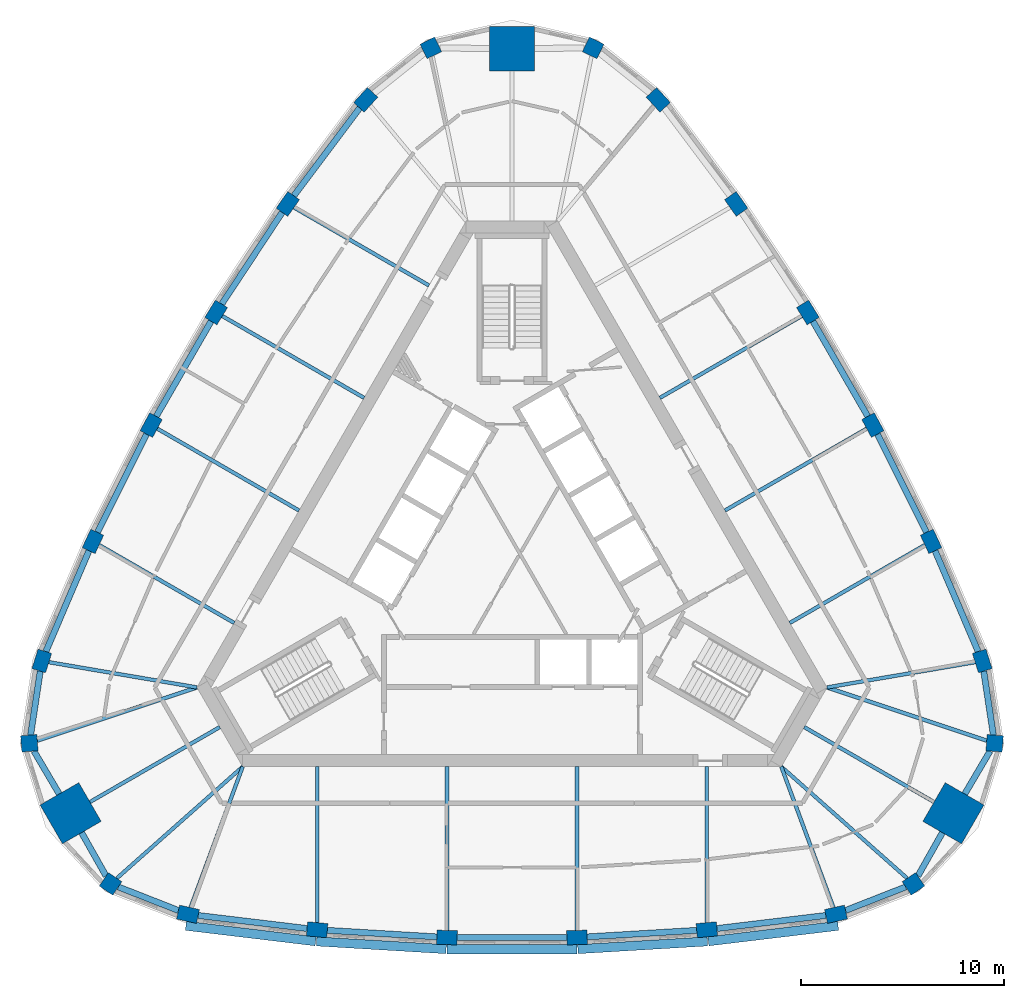
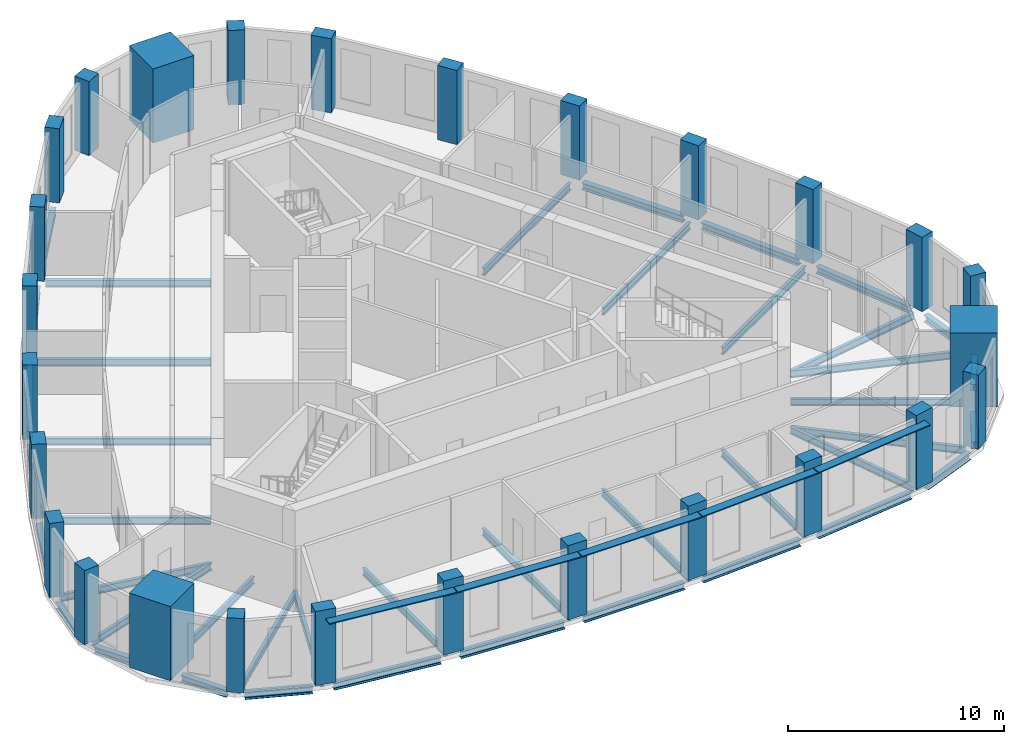
# One storey, part 1 of 10: 42 beams, 27 columns, 5 members.
"""IFC4 building model written with IfcOpenShell, lengths in metres."""

from ifc_helpers import new_model, si_unit, direction, frame, origin, origin_2d, place, context, subcontext, project, spatial, rectangle, i_section, extrude, material, material_profile, profile_set, type_object, element, save


model = new_model("IFC4")

# Units and contexts
model_context = context("Model", 3, precision=1e-05, world=origin(), true_north=direction((0.0, 1.0)))
body_context = subcontext(model_context, "Body", "Model", "MODEL_VIEW")
ifc_project = project(units=[si_unit("LENGTHUNIT", "METRE"), si_unit("AREAUNIT", "SQUARE_METRE"), si_unit("VOLUMEUNIT", "CUBIC_METRE"), si_unit("PLANEANGLEUNIT", "RADIAN"), si_unit("MASSUNIT", "GRAM", prefix="KILO")], contexts=[model_context])

# Site, building, storey
site_placement = place(None, origin())
site = spatial("IfcSite", under=ifc_project, at=site_placement, CompositionType="ELEMENT")
building_placement = place(site_placement, origin())
building = spatial("IfcBuilding", under=site, at=building_placement, Name="Mestral Congress Tower", CompositionType="ELEMENT")
storey_placement = place(building_placement, frame((0.0, 0.0, 271.199951171875)))
storey = spatial("IfcBuildingStorey", under=building, at=storey_placement, Name="L63", CompositionType="ELEMENT", Elevation=271.199951171875)

# Columns
ifc_material_1 = material(Name="Concrete C60/75", Category="concrete")
ifc_material_profile_1 = material_profile(ifc_material_1, rectangle(XDim=1.0, YDim=0.699951171875, at=origin_2d()), Name="RC 1000x700")
ifc_profile_set_1 = profile_set([ifc_material_profile_1], Name="Concrete C60/75")
column_type_1 = type_object("IfcColumnType", Name="Column RC 1000x700 C60/75", PredefinedType="COLUMN", material=ifc_profile_set_1)
for number, where, z_axis, x_axis, name in (
    (1, (-15.940673828125, -17.511962890625, 0.0), (0.0, 0.0, 1.0), (0.976233636503, -0.216720758026, 0.0), "COL-L63-C5-S00"),
    (2, (-9.587158203125, -18.273681640625, 0.0), (0.0, 0.0, 1.0), (0.995997816519, -0.089377567035, 0.0), "COL-L63-C5-S01"),
    (3, (-3.199462890625, -18.6552734375, 0.0), (0.0, 0.0, 1.0), (0.999555031657, -0.029828487872, 0.0), "COL-L63-C5-S02"),
    (4, (3.199462890625, -18.6552734375, 0.0), (0.0, 0.0, 1.0), (0.999555031657, 0.029828487872, 0.0), "COL-L63-C5-S03"),
    (5, (9.587158203125, -18.273681640625, 0.0), (0.0, 0.0, 1.0), (0.995997816519, 0.089377567035, 0.0), "COL-L63-C5-S04"),
    (6, (15.940673828125, -17.511962890625, 0.0), (0.0, 0.0, 1.0), (0.976233636503, 0.216720758026, 0.0), "COL-L63-C5-S05"),
    (7, (23.135986328125, -5.049072265625, 0.0), (0.0, 0.0, 1.0), (-0.300431136274, 0.953803508254, 0.0), "COL-L63-C5-E00"),
    (8, (20.618896484375, 0.833984375, 0.0), (0.0, 0.0, 1.0), (-0.420595664679, 0.907248194737, 0.0), "COL-L63-C5-E01"),
    (9, (17.755615234375, 6.556640625, 0.0), (0.0, 0.0, 1.0), (-0.473945287575, 0.880554293832, 0.0), "COL-L63-C5-E02"),
    (10, (14.55615234375, 12.098388671875, 0.0), (0.0, 0.0, 1.0), (-0.525609744083, 0.850725805959, 0.0), "COL-L63-C5-E03"),
    (11, (11.031982421875, 17.439697265625, 0.0), (0.0, 0.0, 1.0), (-0.57540215184, 0.817870627702, 0.0), "COL-L63-C5-E04"),
    (12, (7.1953125, 22.56103515625, 0.0), (0.0, 0.0, 1.0), (-0.67580250023, 0.737082750228, 0.0), "COL-L63-C5-E05"),
    (13, (-7.1953125, 22.56103515625, 0.0), (0.0, 0.0, 1.0), (-0.67580250023, -0.737082750228, 0.0), "COL-L63-C5-W00"),
    (14, (-11.031982421875, 17.439697265625, 0.0), (0.0, 0.0, 1.0), (-0.57540215184, -0.817870627702, 0.0), "COL-L63-C5-W01"),
    (15, (-14.55615234375, 12.098388671875, 0.0), (0.0, 0.0, 1.0), (-0.525609744083, -0.850725805959, 0.0), "COL-L63-C5-W02"),
    (16, (-17.755615234375, 6.556640625, 0.0), (0.0, 0.0, 1.0), (-0.473945287575, -0.880554293832, 0.0), "COL-L63-C5-W03"),
    (17, (-20.618896484375, 0.833984375, 0.0), (0.0, 0.0, 1.0), (-0.420595664679, -0.907248194737, 0.0), "COL-L63-C5-W04"),
    (18, (-23.135986328125, -5.049072265625, 0.0), (0.0, 0.0, 1.0), (-0.300431136274, -0.953803508254, 0.0), "COL-L63-C5-W05"),
):
    element("IfcColumn", number, at=place(storey_placement, frame(where, z_axis=z_axis, x_axis=x_axis)), inside=storey, type_object=column_type_1, Name=name, PredefinedType="COLUMN", context=body_context, shape_type="SweptSolid", body=[
        extrude(rectangle(XDim=1.0, YDim=0.699951171875, at=origin_2d()), origin(), (0.0, 0.0, 1.0), 4.199951171875),
    ])
ifc_material_profile_2 = material_profile(ifc_material_1, rectangle(XDim=0.800048828125, YDim=0.800048828125, at=origin_2d()), Name="RC 800x800")
ifc_profile_set_2 = profile_set([ifc_material_profile_2], Name="Concrete C60/75")
column_type_2 = type_object("IfcColumnType", Name="Column RC 800x800 C60/75", PredefinedType="COLUMN", material=ifc_profile_set_2)
for number, where, z_axis, x_axis, name in (
    (19, (19.75439453125, -16.0166015625, 0.0), (0.0, 0.0, 1.0), (0.826362775296, 0.563138139008, 0.0), "COL-L63-C5-SE1"),
    (20, (23.748046875, -9.099609375, 0.0), (0.0, 0.0, 1.0), (0.074510546573, 0.997220225652, 0.0), "COL-L63-C5-SE3"),
    (21, (3.993408203125, 25.1162109375, 0.0), (0.0, 0.0, 1.0), (-0.900873321869, 0.434082086644, 0.0), "COL-L63-C5-N1"),
    (22, (-3.993408203125, 25.1162109375, 0.0), (0.0, 0.0, 1.0), (-0.900873321869, -0.434082086644, 0.0), "COL-L63-C5-N3"),
    (23, (-23.748046875, -9.099609375, 0.0), (0.0, 0.0, 1.0), (0.074510546573, -0.997220225652, 0.0), "COL-L63-C5-SW1"),
    (24, (-19.75439453125, -16.0166015625, 0.0), (0.0, 0.0, 1.0), (0.826362775296, -0.563138139008, 0.0), "COL-L63-C5-SW3"),
):
    element("IfcColumn", number, at=place(storey_placement, frame(where, z_axis=z_axis, x_axis=x_axis)), inside=storey, type_object=column_type_2, Name=name, PredefinedType="COLUMN", context=body_context, shape_type="SweptSolid", body=[
        extrude(rectangle(XDim=0.800048828125, YDim=0.800048828125, at=origin_2d()), origin(), (0.0, 0.0, 1.0), 4.199951171875),
    ])
ifc_material_profile_3 = material_profile(ifc_material_1, rectangle(XDim=2.199951171875, YDim=2.199951171875, at=origin_2d()), Name="RC 2200x2200")
ifc_profile_set_3 = profile_set([ifc_material_profile_3], Name="Concrete C60/75")
column_type_3 = type_object("IfcColumnType", Name="Mega column RC 2200x2200 C60/75", PredefinedType="COLUMN", material=ifc_profile_set_3)
for number, where, z_axis, x_axis, name in (
    (25, (21.71826171875, -12.5390625, 0.0), (0.0, 0.0, 1.0), (0.866025403784, -0.5, 0.0), "COL-L63-PY5-SE"),
    (26, (0.0, 25.078125, 0.0), (0.0, 0.0, 1.0), (0.0, 1.0, 0.0), "COL-L63-PY5-N"),
    (27, (-21.71826171875, -12.5390625, 0.0), (0.0, 0.0, 1.0), (-0.866025403784, -0.5, 0.0), "COL-L63-PY5-SW"),
):
    element("IfcColumn", number, at=place(storey_placement, frame(where, z_axis=z_axis, x_axis=x_axis)), inside=storey, type_object=column_type_3, Name=name, PredefinedType="COLUMN", context=body_context, shape_type="SweptSolid", body=[
        extrude(rectangle(XDim=2.199951171875, YDim=2.199951171875, at=origin_2d()), origin(), (0.0, 0.0, 1.0), 4.199951171875),
    ])

# Members
ifc_material_2 = material(Name="Glazed ceramic", Category="masonry")
ifc_material_profile_4 = material_profile(ifc_material_2, rectangle(XDim=0.449951171875, YDim=0.06005859375, at=origin_2d()), Name="Ceramic blade 450 x 60")
ifc_profile_set_4 = profile_set([ifc_material_profile_4], Name="Glazed ceramic")
member_type = type_object("IfcMemberType", Name="Facade sunshade blade 450 x 60", PredefinedType="USERDEFINED", material=ifc_profile_set_4)
member_1_placement = place(storey_placement, frame((-16.04638671875, -18.078369140625, 3.679931640625), z_axis=(0.992890306953, -0.119032929725, 0.0), x_axis=(0.119032929725, 0.992890306953, 0.0)))
element("IfcMember", 28, at=member_1_placement, inside=storey, type_object=member_type, Name="Sunshade F0-00", ObjectType="SUNSHADE", PredefinedType="USERDEFINED", context=body_context, shape_type="SweptSolid", body=[
    extrude(rectangle(XDim=0.449951171875, YDim=0.06005859375, at=origin_2d()), origin(), (0.0, 0.0, 1.0), 6.429931640625),
])
member_2_placement = place(storey_placement, frame((-9.614990234375, -18.84814453125, 3.679931640625), z_axis=(0.998222174469, -0.059602771735, 0.0), x_axis=(0.059602771735, 0.998222174469, 0.0)))
element("IfcMember", 29, at=member_2_placement, inside=storey, type_object=member_type, Name="Sunshade F0-01", ObjectType="SUNSHADE", PredefinedType="USERDEFINED", context=body_context, shape_type="SweptSolid", body=[
    extrude(rectangle(XDim=0.449951171875, YDim=0.06005859375, at=origin_2d()), origin(), (0.0, 0.0, 1.0), 6.385986328125),
])
member_3_placement = place(storey_placement, frame((-3.193115234375, -19.230224609375, 3.679931640625), z_axis=(1.0, 0.0, 0.0), x_axis=(0.0, 1.0, 0.0)))
element("IfcMember", 30, at=member_3_placement, inside=storey, type_object=member_type, Name="Sunshade F0-02", ObjectType="SUNSHADE", PredefinedType="USERDEFINED", context=body_context, shape_type="SweptSolid", body=[
    extrude(rectangle(XDim=0.449951171875, YDim=0.06005859375, at=origin_2d()), origin(), (0.0, 0.0, 1.0), 6.38623046875),
])
member_4_placement = place(storey_placement, frame((3.240478515625, -19.228759765625, 3.679931640625), z_axis=(0.998222174469, 0.059602771735, 0.0), x_axis=(-0.059602771735, 0.998222174469, 0.0)))
element("IfcMember", 31, at=member_4_placement, inside=storey, type_object=member_type, Name="Sunshade F0-03", ObjectType="SUNSHADE", PredefinedType="USERDEFINED", context=body_context, shape_type="SweptSolid", body=[
    extrude(rectangle(XDim=0.449951171875, YDim=0.06005859375, at=origin_2d()), origin(), (0.0, 0.0, 1.0), 6.385986328125),
])
member_5_placement = place(storey_placement, frame((9.662109375, -18.84375, 3.679931640625), z_axis=(0.992890306953, 0.119032929725, 0.0), x_axis=(-0.119032929725, 0.992890306953, 0.0)))
element("IfcMember", 32, at=member_5_placement, inside=storey, type_object=member_type, Name="Sunshade F0-04", ObjectType="SUNSHADE", PredefinedType="USERDEFINED", context=body_context, shape_type="SweptSolid", body=[
    extrude(rectangle(XDim=0.449951171875, YDim=0.06005859375, at=origin_2d()), origin(), (0.0, 0.0, 1.0), 6.429931640625),
])

# Beams
ifc_material_3 = material(Name="Steel S355", Category="steel")
ifc_material_profile_5 = material_profile(ifc_material_3, i_section(OverallWidth=0.179931640625, OverallDepth=0.39990234375, WebThickness=0.008544921875, FlangeThickness=0.013427734375, FilletRadius=0.02099609375, at=origin_2d()), Name="IPE 400")
ifc_profile_set_5 = profile_set([ifc_material_profile_5], Name="Steel S355")
beam_type_1 = type_object("IfcBeamType", Name="Floor beam IPE 400 S355", PredefinedType="BEAM", material=ifc_profile_set_5)
beam_1_placement = place(storey_placement, frame((-15.81787109375, -17.1806640625, -0.449951171875), z_axis=(0.347399345496, 0.937717278687, 0.0), x_axis=(-0.937717278687, 0.347399345496, 0.0)))
element("IfcBeam", 33, at=beam_1_placement, inside=storey, type_object=beam_type_1, Name="BM-L63-RB5-S00", PredefinedType="BEAM", context=body_context, shape_type="SweptSolid", body=[
    extrude(i_section(OverallWidth=0.179931640625, OverallDepth=0.39990234375, WebThickness=0.008544921875, FlangeThickness=0.013427734375, FilletRadius=0.02099609375, at=origin_2d()), origin(), (0.0, 0.0, 1.0), 7.39111328125),
])
beam_2_placement = place(storey_placement, frame((-9.587158203125, -17.92236328125, -0.449951171875), z_axis=(0.0, 1.0, 0.0), x_axis=(-1.0, 0.0, 0.0)))
element("IfcBeam", 34, at=beam_2_placement, inside=storey, type_object=beam_type_1, Name="BM-L63-RB5-S01", PredefinedType="BEAM", context=body_context, shape_type="SweptSolid", body=[
    extrude(i_section(OverallWidth=0.179931640625, OverallDepth=0.39990234375, WebThickness=0.008544921875, FlangeThickness=0.013427734375, FilletRadius=0.02099609375, at=origin_2d()), origin(), (0.0, 0.0, 1.0), 7.67236328125),
])
for number, where, z_axis, x_axis, name in (
    (35, (-3.199462890625, -18.304931640625, -0.449951171875), (0.0, 1.0, 0.0), (-1.0, 0.0, 0.0), "BM-L63-RB5-S02"),
    (36, (3.199462890625, -18.304931640625, -0.449951171875), (0.0, 1.0, 0.0), (-1.0, 0.0, 0.0), "BM-L63-RB5-S03"),
):
    element("IfcBeam", number, at=place(storey_placement, frame(where, z_axis=z_axis, x_axis=x_axis)), inside=storey, type_object=beam_type_1, Name=name, PredefinedType="BEAM", context=body_context, shape_type="SweptSolid", body=[
        extrude(i_section(OverallWidth=0.179931640625, OverallDepth=0.39990234375, WebThickness=0.008544921875, FlangeThickness=0.013427734375, FilletRadius=0.02099609375, at=origin_2d()), origin(), (0.0, 0.0, 1.0), 8.054931640625),
    ])
beam_3_placement = place(storey_placement, frame((9.587158203125, -17.92236328125, -0.449951171875), z_axis=(0.0, 1.0, 0.0), x_axis=(-1.0, 0.0, 0.0)))
element("IfcBeam", 37, at=beam_3_placement, inside=storey, type_object=beam_type_1, Name="BM-L63-RB5-S04", PredefinedType="BEAM", context=body_context, shape_type="SweptSolid", body=[
    extrude(i_section(OverallWidth=0.179931640625, OverallDepth=0.39990234375, WebThickness=0.008544921875, FlangeThickness=0.013427734375, FilletRadius=0.02099609375, at=origin_2d()), origin(), (0.0, 0.0, 1.0), 7.67236328125),
])
beam_4_placement = place(storey_placement, frame((15.81787109375, -17.1806640625, -0.449951171875), z_axis=(-0.347399345496, 0.937717278687, 0.0), x_axis=(-0.937717278687, -0.347399345496, 0.0)))
element("IfcBeam", 38, at=beam_4_placement, inside=storey, type_object=beam_type_1, Name="BM-L63-RB5-S05", PredefinedType="BEAM", context=body_context, shape_type="SweptSolid", body=[
    extrude(i_section(OverallWidth=0.179931640625, OverallDepth=0.39990234375, WebThickness=0.008544921875, FlangeThickness=0.013427734375, FilletRadius=0.02099609375, at=origin_2d()), origin(), (0.0, 0.0, 1.0), 7.39111328125),
])
beam_5_placement = place(storey_placement, frame((19.44580078125, -15.742919921875, -0.449951171875), z_axis=(-0.74826277439, 0.663402457383, 0.0), x_axis=(-0.663402457383, -0.74826277439, 0.0)))
element("IfcBeam", 39, at=beam_5_placement, inside=storey, type_object=beam_type_1, Name="BM-L63-RB5-SE1", PredefinedType="BEAM", context=body_context, shape_type="SweptSolid", body=[
    extrude(i_section(OverallWidth=0.179931640625, OverallDepth=0.39990234375, WebThickness=0.008544921875, FlangeThickness=0.013427734375, FilletRadius=0.02099609375, at=origin_2d()), origin(), (0.0, 0.0, 1.0), 8.280029296875),
])
beam_6_placement = place(storey_placement, frame((20.765625, -11.989013671875, -0.449951171875), z_axis=(-0.866031296205, 0.499989793889, 0.0), x_axis=(-0.499989793889, -0.866031296205, 0.0)))
element("IfcBeam", 40, at=beam_6_placement, inside=storey, type_object=beam_type_1, Name="BM-L63-RB5-SE", PredefinedType="BEAM", context=body_context, shape_type="SweptSolid", body=[
    extrude(i_section(OverallWidth=0.179931640625, OverallDepth=0.39990234375, WebThickness=0.008544921875, FlangeThickness=0.013427734375, FilletRadius=0.02099609375, at=origin_2d()), origin(), (0.0, 0.0, 1.0), 7.378173828125),
])
beam_7_placement = place(storey_placement, frame((23.356689453125, -8.968994140625, -0.449951171875), z_axis=(-0.948659706446, 0.316298532031, 0.0), x_axis=(-0.316298532031, -0.948659706446, 0.0)))
element("IfcBeam", 41, at=beam_7_placement, inside=storey, type_object=beam_type_1, Name="BM-L63-RB5-SE3", PredefinedType="BEAM", context=body_context, shape_type="SweptSolid", body=[
    extrude(i_section(OverallWidth=0.179931640625, OverallDepth=0.39990234375, WebThickness=0.008544921875, FlangeThickness=0.013427734375, FilletRadius=0.02099609375, at=origin_2d()), origin(), (0.0, 0.0, 1.0), 8.27978515625),
])
beam_8_placement = place(storey_placement, frame((22.787841796875, -5.1083984375, -0.449951171875), z_axis=(-0.985786503242, -0.168002886958, 0.0), x_axis=(0.168002886958, -0.985786503242, 0.0)))
element("IfcBeam", 42, at=beam_8_placement, inside=storey, type_object=beam_type_1, Name="BM-L63-RB5-E00", PredefinedType="BEAM", context=body_context, shape_type="SweptSolid", body=[
    extrude(i_section(OverallWidth=0.179931640625, OverallDepth=0.39990234375, WebThickness=0.008544921875, FlangeThickness=0.013427734375, FilletRadius=0.02099609375, at=origin_2d()), origin(), (0.0, 0.0, 1.0), 7.390869140625),
])
beam_9_placement = place(storey_placement, frame((20.314697265625, 0.658447265625, -0.449951171875), z_axis=(-0.866019720907, -0.500009842903, 0.0), x_axis=(0.500009842903, -0.866019720907, 0.0)))
element("IfcBeam", 43, at=beam_9_placement, inside=storey, type_object=beam_type_1, Name="BM-L63-RB5-E01", PredefinedType="BEAM", context=body_context, shape_type="SweptSolid", body=[
    extrude(i_section(OverallWidth=0.179931640625, OverallDepth=0.39990234375, WebThickness=0.008544921875, FlangeThickness=0.013427734375, FilletRadius=0.02099609375, at=origin_2d()), origin(), (0.0, 0.0, 1.0), 7.672119140625),
])
for number, where, z_axis, x_axis, name in (
    (44, (17.452392578125, 6.381591796875, -0.449951171875), (-0.866020537834, -0.500008427979, 0.0), (0.500008427979, -0.866020537834, 0.0), "BM-L63-RB5-E02"),
    (45, (14.2529296875, 11.92333984375, -0.449951171875), (-0.866033662086, -0.499985695929, 0.0), (0.499985695929, -0.866033662086, 0.0), "BM-L63-RB5-E03"),
):
    element("IfcBeam", number, at=place(storey_placement, frame(where, z_axis=z_axis, x_axis=x_axis)), inside=storey, type_object=beam_type_1, Name=name, PredefinedType="BEAM", context=body_context, shape_type="SweptSolid", body=[
        extrude(i_section(OverallWidth=0.179931640625, OverallDepth=0.39990234375, WebThickness=0.008544921875, FlangeThickness=0.013427734375, FilletRadius=0.02099609375, at=origin_2d()), origin(), (0.0, 0.0, 1.0), 8.054931640625),
    ])
beam_10_placement = place(storey_placement, frame((-10.7275390625, 17.263916015625, -0.449951171875), z_axis=(0.866019720907, -0.500009842903, 0.0), x_axis=(0.500009842903, 0.866019720907, 0.0)))
element("IfcBeam", 46, at=beam_10_placement, inside=storey, type_object=beam_type_1, Name="BM-L63-RB5-W01", PredefinedType="BEAM", context=body_context, shape_type="SweptSolid", body=[
    extrude(i_section(OverallWidth=0.179931640625, OverallDepth=0.39990234375, WebThickness=0.008544921875, FlangeThickness=0.013427734375, FilletRadius=0.02099609375, at=origin_2d()), origin(), (0.0, 0.0, 1.0), 7.672119140625),
])
for number, where, z_axis, x_axis, name in (
    (47, (-14.2529296875, 11.92333984375, -0.449951171875), (0.866033662086, -0.499985695929, 0.0), (0.499985695929, 0.866033662086, 0.0), "BM-L63-RB5-W02"),
    (48, (-17.452392578125, 6.381591796875, -0.449951171875), (0.866020537834, -0.500008427979, 0.0), (0.500008427979, 0.866020537834, 0.0), "BM-L63-RB5-W03"),
):
    element("IfcBeam", number, at=place(storey_placement, frame(where, z_axis=z_axis, x_axis=x_axis)), inside=storey, type_object=beam_type_1, Name=name, PredefinedType="BEAM", context=body_context, shape_type="SweptSolid", body=[
        extrude(i_section(OverallWidth=0.179931640625, OverallDepth=0.39990234375, WebThickness=0.008544921875, FlangeThickness=0.013427734375, FilletRadius=0.02099609375, at=origin_2d()), origin(), (0.0, 0.0, 1.0), 8.054931640625),
    ])
beam_11_placement = place(storey_placement, frame((-20.314697265625, 0.658447265625, -0.449951171875), z_axis=(0.866019720907, -0.500009842903, 0.0), x_axis=(0.500009842903, 0.866019720907, 0.0)))
element("IfcBeam", 49, at=beam_11_placement, inside=storey, type_object=beam_type_1, Name="BM-L63-RB5-W04", PredefinedType="BEAM", context=body_context, shape_type="SweptSolid", body=[
    extrude(i_section(OverallWidth=0.179931640625, OverallDepth=0.39990234375, WebThickness=0.008544921875, FlangeThickness=0.013427734375, FilletRadius=0.02099609375, at=origin_2d()), origin(), (0.0, 0.0, 1.0), 7.672119140625),
])
beam_12_placement = place(storey_placement, frame((-22.787841796875, -5.1083984375, -0.449951171875), z_axis=(0.985786503242, -0.168002886958, 0.0), x_axis=(0.168002886958, 0.985786503242, 0.0)))
element("IfcBeam", 50, at=beam_12_placement, inside=storey, type_object=beam_type_1, Name="BM-L63-RB5-W05", PredefinedType="BEAM", context=body_context, shape_type="SweptSolid", body=[
    extrude(i_section(OverallWidth=0.179931640625, OverallDepth=0.39990234375, WebThickness=0.008544921875, FlangeThickness=0.013427734375, FilletRadius=0.02099609375, at=origin_2d()), origin(), (0.0, 0.0, 1.0), 7.390869140625),
])
beam_13_placement = place(storey_placement, frame((-23.356689453125, -8.968994140625, -0.449951171875), z_axis=(0.948659706446, 0.316298532031, 0.0), x_axis=(-0.316298532031, 0.948659706446, 0.0)))
element("IfcBeam", 51, at=beam_13_placement, inside=storey, type_object=beam_type_1, Name="BM-L63-RB5-SW1", PredefinedType="BEAM", context=body_context, shape_type="SweptSolid", body=[
    extrude(i_section(OverallWidth=0.179931640625, OverallDepth=0.39990234375, WebThickness=0.008544921875, FlangeThickness=0.013427734375, FilletRadius=0.02099609375, at=origin_2d()), origin(), (0.0, 0.0, 1.0), 8.27978515625),
])
beam_14_placement = place(storey_placement, frame((-20.765625, -11.989013671875, -0.449951171875), z_axis=(0.866031296205, 0.499989793889, 0.0), x_axis=(-0.499989793889, 0.866031296205, 0.0)))
element("IfcBeam", 52, at=beam_14_placement, inside=storey, type_object=beam_type_1, Name="BM-L63-RB5-SW", PredefinedType="BEAM", context=body_context, shape_type="SweptSolid", body=[
    extrude(i_section(OverallWidth=0.179931640625, OverallDepth=0.39990234375, WebThickness=0.008544921875, FlangeThickness=0.013427734375, FilletRadius=0.02099609375, at=origin_2d()), origin(), (0.0, 0.0, 1.0), 7.378173828125),
])
beam_15_placement = place(storey_placement, frame((-19.44580078125, -15.742919921875, -0.449951171875), z_axis=(0.74826277439, 0.663402457383, 0.0), x_axis=(-0.663402457383, 0.74826277439, 0.0)))
element("IfcBeam", 53, at=beam_15_placement, inside=storey, type_object=beam_type_1, Name="BM-L63-RB5-SW3", PredefinedType="BEAM", context=body_context, shape_type="SweptSolid", body=[
    extrude(i_section(OverallWidth=0.179931640625, OverallDepth=0.39990234375, WebThickness=0.008544921875, FlangeThickness=0.013427734375, FilletRadius=0.02099609375, at=origin_2d()), origin(), (0.0, 0.0, 1.0), 8.280029296875),
])
ifc_material_profile_6 = material_profile(ifc_material_3, i_section(OverallWidth=0.300048828125, OverallDepth=0.389892578125, WebThickness=0.010986328125, FlangeThickness=0.01904296875, FilletRadius=0.027099609375, at=origin_2d()), Name="HEA 400")
ifc_profile_set_6 = profile_set([ifc_material_profile_6], Name="Steel S355")
beam_type_2 = type_object("IfcBeamType", Name="Spandrel beam HEA 400 S355", PredefinedType="BEAM", material=ifc_profile_set_6)
beam_16_placement = place(storey_placement, frame((-15.44189453125, -17.57177734375, -0.445068359375), z_axis=(0.992890319222, -0.119032827389, 0.0), x_axis=(0.119032827389, 0.992890319222, 0.0)))
element("IfcBeam", 54, at=beam_16_placement, inside=storey, type_object=beam_type_2, Name="SP-L63-SB5-S00", PredefinedType="BEAM", context=body_context, shape_type="SweptSolid", body=[
    extrude(i_section(OverallWidth=0.300048828125, OverallDepth=0.389892578125, WebThickness=0.010986328125, FlangeThickness=0.01904296875, FilletRadius=0.027099609375, at=origin_2d()), origin(), (0.0, 0.0, 1.0), 5.396240234375),
])
beam_17_placement = place(storey_placement, frame((-9.087890625, -18.303466796875, -0.445068359375), z_axis=(0.998219522722, -0.059647166371, 0.0), x_axis=(0.059647166371, 0.998219522722, 0.0)))
element("IfcBeam", 55, at=beam_17_placement, inside=storey, type_object=beam_type_2, Name="SP-L63-SB5-S01", PredefinedType="BEAM", context=body_context, shape_type="SweptSolid", body=[
    extrude(i_section(OverallWidth=0.300048828125, OverallDepth=0.389892578125, WebThickness=0.010986328125, FlangeThickness=0.01904296875, FilletRadius=0.027099609375, at=origin_2d()), origin(), (0.0, 0.0, 1.0), 5.398681640625),
])
beam_18_placement = place(storey_placement, frame((-2.69921875, -18.6552734375, -0.445068359375), z_axis=(1.0, 0.0, 0.0), x_axis=(0.0, 1.0, 0.0)))
element("IfcBeam", 56, at=beam_18_placement, inside=storey, type_object=beam_type_2, Name="SP-L63-SB5-S02", PredefinedType="BEAM", context=body_context, shape_type="SweptSolid", body=[
    extrude(i_section(OverallWidth=0.300048828125, OverallDepth=0.389892578125, WebThickness=0.010986328125, FlangeThickness=0.01904296875, FilletRadius=0.027099609375, at=origin_2d()), origin(), (0.0, 0.0, 1.0), 5.3984375),
])
beam_19_placement = place(storey_placement, frame((3.69873046875, -18.62548828125, -0.445068359375), z_axis=(0.998219522722, 0.059647166371, 0.0), x_axis=(-0.059647166371, 0.998219522722, 0.0)))
element("IfcBeam", 57, at=beam_19_placement, inside=storey, type_object=beam_type_2, Name="SP-L63-SB5-S03", PredefinedType="BEAM", context=body_context, shape_type="SweptSolid", body=[
    extrude(i_section(OverallWidth=0.300048828125, OverallDepth=0.389892578125, WebThickness=0.010986328125, FlangeThickness=0.01904296875, FilletRadius=0.027099609375, at=origin_2d()), origin(), (0.0, 0.0, 1.0), 5.398681640625),
])
beam_20_placement = place(storey_placement, frame((10.083984375, -18.214111328125, -0.445068359375), z_axis=(0.992890319222, 0.119032827389, 0.0), x_axis=(-0.119032827389, 0.992890319222, 0.0)))
element("IfcBeam", 58, at=beam_20_placement, inside=storey, type_object=beam_type_2, Name="SP-L63-SB5-S04", PredefinedType="BEAM", context=body_context, shape_type="SweptSolid", body=[
    extrude(i_section(OverallWidth=0.300048828125, OverallDepth=0.389892578125, WebThickness=0.010986328125, FlangeThickness=0.01904296875, FilletRadius=0.027099609375, at=origin_2d()), origin(), (0.0, 0.0, 1.0), 5.396240234375),
])
beam_21_placement = place(storey_placement, frame((16.411865234375, -17.3271484375, -0.445068359375), z_axis=(0.930980873283, 0.365067957485, 0.0), x_axis=(-0.365067957485, 0.930980873283, 0.0)))
element("IfcBeam", 59, at=beam_21_placement, inside=storey, type_object=beam_type_2, Name="SP-L63-SB5-S05", PredefinedType="BEAM", context=body_context, shape_type="SweptSolid", body=[
    extrude(i_section(OverallWidth=0.300048828125, OverallDepth=0.389892578125, WebThickness=0.010986328125, FlangeThickness=0.01904296875, FilletRadius=0.027099609375, at=origin_2d()), origin(), (0.0, 0.0, 1.0), 3.179931640625),
])
beam_22_placement = place(storey_placement, frame((19.9736328125, -15.628173828125, -0.445068359375), z_axis=(0.491728558518, 0.870748542771, 0.0), x_axis=(-0.870748542771, 0.491728558518, 0.0)))
element("IfcBeam", 60, at=beam_22_placement, inside=storey, type_object=beam_type_2, Name="SP-L63-SB5-SE1", PredefinedType="BEAM", context=body_context, shape_type="SweptSolid", body=[
    extrude(i_section(OverallWidth=0.300048828125, OverallDepth=0.389892578125, WebThickness=0.010986328125, FlangeThickness=0.01904296875, FilletRadius=0.027099609375, at=origin_2d()), origin(), (0.0, 0.0, 1.0), 2.44775390625),
])
beam_23_placement = place(storey_placement, frame((22.27734375, -11.591552734375, -0.445068359375), z_axis=(0.508218412694, 0.861228218882, 0.0), x_axis=(-0.861228218882, 0.508218412694, 0.0)))
element("IfcBeam", 61, at=beam_23_placement, inside=storey, type_object=beam_type_2, Name="SP-L63-SB5-SE", PredefinedType="BEAM", context=body_context, shape_type="SweptSolid", body=[
    extrude(i_section(OverallWidth=0.300048828125, OverallDepth=0.389892578125, WebThickness=0.010986328125, FlangeThickness=0.01904296875, FilletRadius=0.027099609375, at=origin_2d()), origin(), (0.0, 0.0, 1.0), 2.447509765625),
])
beam_24_placement = place(storey_placement, frame((23.686767578125, -8.69384765625, -0.445068359375), z_axis=(-0.149402818736, 0.98877641444, 0.0), x_axis=(-0.98877641444, -0.149402818736, 0.0)))
element("IfcBeam", 62, at=beam_24_placement, inside=storey, type_object=beam_type_2, Name="SP-L63-SB5-SE3", PredefinedType="BEAM", context=body_context, shape_type="SweptSolid", body=[
    extrude(i_section(OverallWidth=0.300048828125, OverallDepth=0.389892578125, WebThickness=0.010986328125, FlangeThickness=0.01904296875, FilletRadius=0.027099609375, at=origin_2d()), origin(), (0.0, 0.0, 1.0), 3.179931640625),
])
beam_25_placement = place(storey_placement, frame((22.9384765625, -4.587158203125, -0.445068359375), z_axis=(-0.393367759324, 0.919381208164, 0.0), x_axis=(-0.919381208164, -0.393367759324, 0.0)))
element("IfcBeam", 63, at=beam_25_placement, inside=storey, type_object=beam_type_2, Name="SP-L63-SB5-E00", PredefinedType="BEAM", context=body_context, shape_type="SweptSolid", body=[
    extrude(i_section(OverallWidth=0.300048828125, OverallDepth=0.389892578125, WebThickness=0.010986328125, FlangeThickness=0.01904296875, FilletRadius=0.027099609375, at=origin_2d()), origin(), (0.0, 0.0, 1.0), 5.396484375),
])
beam_26_placement = place(storey_placement, frame((20.395263671875, 1.281494140625, -0.445068359375), z_axis=(-0.44748491494, 0.894291479832, 0.0), x_axis=(-0.894291479832, -0.44748491494, 0.0)))
element("IfcBeam", 64, at=beam_26_placement, inside=storey, type_object=beam_type_2, Name="SP-L63-SB5-E01", PredefinedType="BEAM", context=body_context, shape_type="SweptSolid", body=[
    extrude(i_section(OverallWidth=0.300048828125, OverallDepth=0.389892578125, WebThickness=0.010986328125, FlangeThickness=0.01904296875, FilletRadius=0.027099609375, at=origin_2d()), origin(), (0.0, 0.0, 1.0), 5.3984375),
])
beam_27_placement = place(storey_placement, frame((17.505615234375, 6.989990234375, -0.445068359375), z_axis=(-0.500025177812, 0.86601086688, 0.0), x_axis=(-0.86601086688, -0.500025177812, 0.0)))
element("IfcBeam", 65, at=beam_27_placement, inside=storey, type_object=beam_type_2, Name="SP-L63-SB5-E02", PredefinedType="BEAM", context=body_context, shape_type="SweptSolid", body=[
    extrude(i_section(OverallWidth=0.300048828125, OverallDepth=0.389892578125, WebThickness=0.010986328125, FlangeThickness=0.01904296875, FilletRadius=0.027099609375, at=origin_2d()), origin(), (0.0, 0.0, 1.0), 5.398681640625),
])
beam_28_placement = place(storey_placement, frame((-7.49658203125, 22.158935546875, -0.445068359375), z_axis=(-0.599529393236, -0.800352738888, 0.0), x_axis=(0.800352738888, -0.599529393236, 0.0)))
element("IfcBeam", 66, at=beam_28_placement, inside=storey, type_object=beam_type_2, Name="SP-L63-SB5-W00", PredefinedType="BEAM", context=body_context, shape_type="SweptSolid", body=[
    extrude(i_section(OverallWidth=0.300048828125, OverallDepth=0.389892578125, WebThickness=0.010986328125, FlangeThickness=0.01904296875, FilletRadius=0.027099609375, at=origin_2d()), origin(), (0.0, 0.0, 1.0), 5.396484375),
])
beam_29_placement = place(storey_placement, frame((-11.307373046875, 17.02197265625, -0.445068359375), z_axis=(-0.550748957655, -0.83467094453, 0.0), x_axis=(0.83467094453, -0.550748957655, 0.0)))
element("IfcBeam", 67, at=beam_29_placement, inside=storey, type_object=beam_type_2, Name="SP-L63-SB5-W01", PredefinedType="BEAM", context=body_context, shape_type="SweptSolid", body=[
    extrude(i_section(OverallWidth=0.300048828125, OverallDepth=0.389892578125, WebThickness=0.010986328125, FlangeThickness=0.01904296875, FilletRadius=0.027099609375, at=origin_2d()), origin(), (0.0, 0.0, 1.0), 5.3984375),
])
beam_30_placement = place(storey_placement, frame((-14.80615234375, 11.665283203125, -0.445068359375), z_axis=(-0.500025177812, -0.86601086688, 0.0), x_axis=(0.86601086688, -0.500025177812, 0.0)))
element("IfcBeam", 68, at=beam_30_placement, inside=storey, type_object=beam_type_2, Name="SP-L63-SB5-W02", PredefinedType="BEAM", context=body_context, shape_type="SweptSolid", body=[
    extrude(i_section(OverallWidth=0.300048828125, OverallDepth=0.389892578125, WebThickness=0.010986328125, FlangeThickness=0.01904296875, FilletRadius=0.027099609375, at=origin_2d()), origin(), (0.0, 0.0, 1.0), 5.398681640625),
])
beam_31_placement = place(storey_placement, frame((-17.9794921875, 6.109375, -0.445068359375), z_axis=(-0.44748491494, -0.894291479832, 0.0), x_axis=(0.894291479832, -0.44748491494, 0.0)))
element("IfcBeam", 69, at=beam_31_placement, inside=storey, type_object=beam_type_2, Name="SP-L63-SB5-W03", PredefinedType="BEAM", context=body_context, shape_type="SweptSolid", body=[
    extrude(i_section(OverallWidth=0.300048828125, OverallDepth=0.389892578125, WebThickness=0.010986328125, FlangeThickness=0.01904296875, FilletRadius=0.027099609375, at=origin_2d()), origin(), (0.0, 0.0, 1.0), 5.3984375),
])
beam_32_placement = place(storey_placement, frame((-20.815673828125, 0.374267578125, -0.445068359375), z_axis=(-0.393367759324, -0.919381208164, 0.0), x_axis=(0.919381208164, -0.393367759324, 0.0)))
element("IfcBeam", 70, at=beam_32_placement, inside=storey, type_object=beam_type_2, Name="SP-L63-SB5-W04", PredefinedType="BEAM", context=body_context, shape_type="SweptSolid", body=[
    extrude(i_section(OverallWidth=0.300048828125, OverallDepth=0.389892578125, WebThickness=0.010986328125, FlangeThickness=0.01904296875, FilletRadius=0.027099609375, at=origin_2d()), origin(), (0.0, 0.0, 1.0), 5.396484375),
])
beam_33_placement = place(storey_placement, frame((-23.211669921875, -5.549560546875, -0.445068359375), z_axis=(-0.149402818736, -0.98877641444, 0.0), x_axis=(0.98877641444, -0.149402818736, 0.0)))
element("IfcBeam", 71, at=beam_33_placement, inside=storey, type_object=beam_type_2, Name="SP-L63-SB5-W05", PredefinedType="BEAM", context=body_context, shape_type="SweptSolid", body=[
    extrude(i_section(OverallWidth=0.300048828125, OverallDepth=0.389892578125, WebThickness=0.010986328125, FlangeThickness=0.01904296875, FilletRadius=0.027099609375, at=origin_2d()), origin(), (0.0, 0.0, 1.0), 3.179931640625),
])
beam_34_placement = place(storey_placement, frame((-23.521240234375, -9.483642578125, -0.445068359375), z_axis=(0.508218412694, -0.861228218882, 0.0), x_axis=(0.861228218882, 0.508218412694, 0.0)))
element("IfcBeam", 72, at=beam_34_placement, inside=storey, type_object=beam_type_2, Name="SP-L63-SB5-SW1", PredefinedType="BEAM", context=body_context, shape_type="SweptSolid", body=[
    extrude(i_section(OverallWidth=0.300048828125, OverallDepth=0.389892578125, WebThickness=0.010986328125, FlangeThickness=0.01904296875, FilletRadius=0.027099609375, at=origin_2d()), origin(), (0.0, 0.0, 1.0), 2.447509765625),
])
beam_35_placement = place(storey_placement, frame((-21.17724609375, -13.496826171875, -0.445068359375), z_axis=(0.491728558518, -0.870748542771, 0.0), x_axis=(0.870748542771, 0.491728558518, 0.0)))
element("IfcBeam", 73, at=beam_35_placement, inside=storey, type_object=beam_type_2, Name="SP-L63-SB5-SW", PredefinedType="BEAM", context=body_context, shape_type="SweptSolid", body=[
    extrude(i_section(OverallWidth=0.300048828125, OverallDepth=0.389892578125, WebThickness=0.010986328125, FlangeThickness=0.01904296875, FilletRadius=0.027099609375, at=origin_2d()), origin(), (0.0, 0.0, 1.0), 2.44775390625),
])
beam_36_placement = place(storey_placement, frame((-19.372314453125, -16.166259765625, -0.445068359375), z_axis=(0.930980873283, -0.365067957485, 0.0), x_axis=(0.365067957485, 0.930980873283, 0.0)))
element("IfcBeam", 74, at=beam_36_placement, inside=storey, type_object=beam_type_2, Name="SP-L63-SB5-SW3", PredefinedType="BEAM", context=body_context, shape_type="SweptSolid", body=[
    extrude(i_section(OverallWidth=0.300048828125, OverallDepth=0.389892578125, WebThickness=0.010986328125, FlangeThickness=0.01904296875, FilletRadius=0.027099609375, at=origin_2d()), origin(), (0.0, 0.0, 1.0), 3.179931640625),
])

save(model, "model.ifc")
